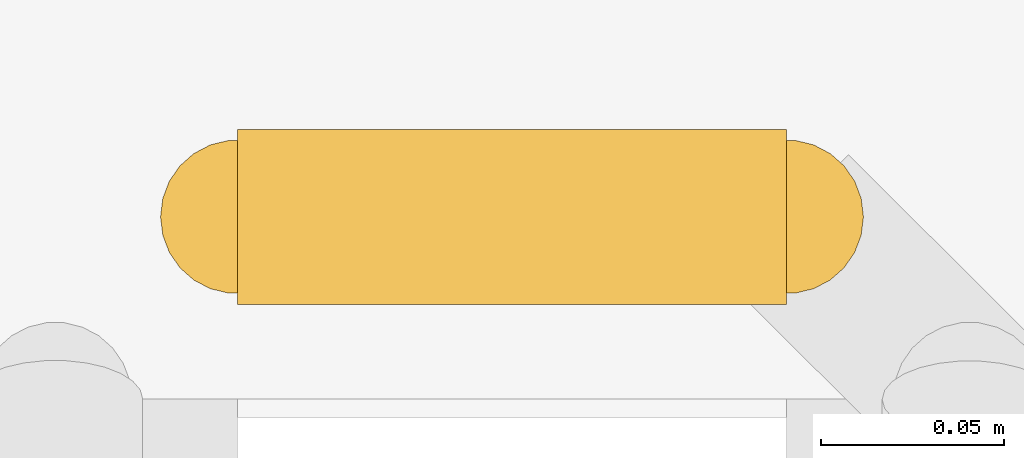
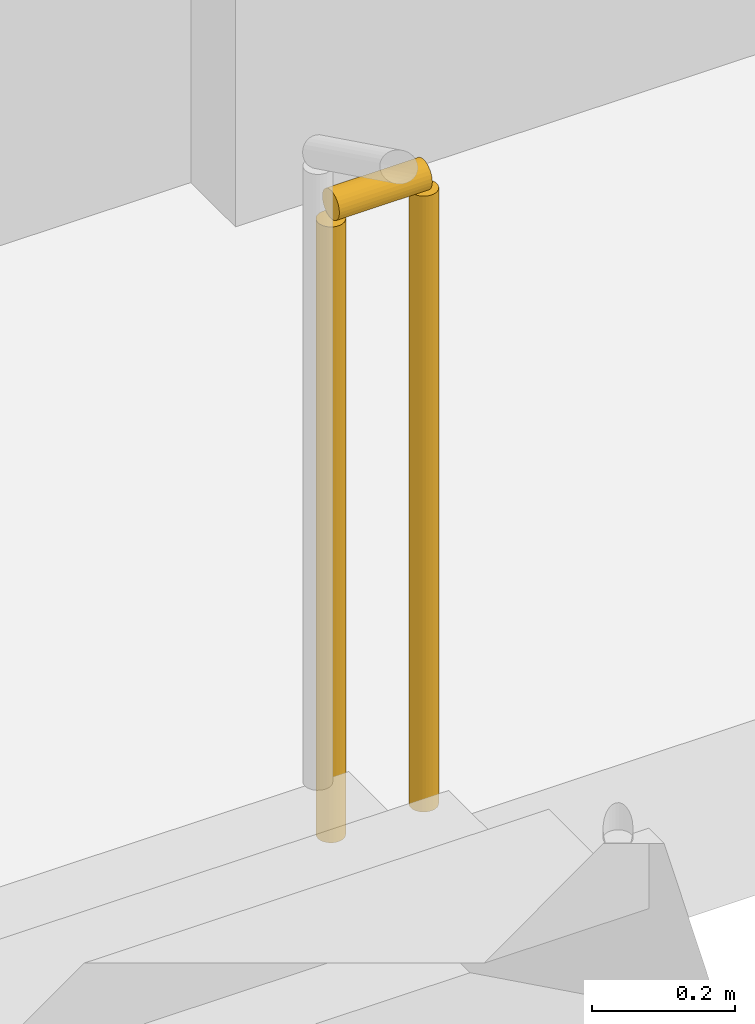
# One storey, part 16 of 21: 1 railing.
"""IFC4 building model written with IfcOpenShell, lengths in metres."""

import ifcopenshell
import ifcopenshell.guid

model = None  # the IFC model being written
_history = None  # IfcOwnerHistory: only IFC2X3 demands one
_inside = {}  # id of a spatial element -> (the spatial element, [elements in it])
_under = {}  # id of a project, library or spatial element -> (it, [spatial elements below it])
_declared = {}  # id of a project -> (the project, [libraries it declares])
_typed = {}  # id of a type object -> (the type object, [elements of that type])
_made_of = {}  # id of a material, layer set ... -> (it, [elements and type objects made of it])


def new_model(schema):
    """Start an empty IFC model of exactly this schema.

    Asked for "IFC4X3", IfcOpenShell would pick the latest addendum, in which some entities
    have other attributes; the version numbers below select the first issue.
    IFC2X3 requires an IfcOwnerHistory on every rooted entity: one is made here for all.
    """
    global model, _history
    if schema == "IFC4X3":
        model = ifcopenshell.file(schema_version=(4, 3, 0, 0))
    else:
        model = ifcopenshell.file(schema=schema)
    _inside.clear()
    _under.clear()
    _declared.clear()
    _typed.clear()
    _made_of.clear()
    _history = None
    if model.schema == "IFC2X3":
        org = make("IfcOrganization", Name="unknown")
        user = make(
            "IfcPersonAndOrganization",
            ThePerson=make("IfcPerson", FamilyName="unknown"),
            TheOrganization=org,
        )
        app = make(
            "IfcApplication",
            ApplicationDeveloper=org,
            Version="unknown",
            ApplicationFullName="unknown",
            ApplicationIdentifier="unknown",
        )
        _history = make(
            "IfcOwnerHistory",
            OwningUser=user,
            OwningApplication=app,
            ChangeAction="ADDED",
            CreationDate=0,
        )
    return model


def make(cls, **values):
    """One entity of the class cls with the attributes given. An attribute that is None is left unset."""
    return model.create_entity(
        cls, **{name: value for name, value in values.items() if value is not None}
    )


def rooted(cls, **values):
    """An entity with a GlobalId (a new one), such as an element, a storey or a relation."""
    return make(cls, GlobalId=ifcopenshell.guid.new(), OwnerHistory=_history, **values)


def si_unit(unit_type, name, prefix=None):
    """IfcSIUnit, for example si_unit("LENGTHUNIT", "METRE", prefix="MILLI")."""
    return make("IfcSIUnit", UnitType=unit_type, Prefix=prefix, Name=name)


def assignment(units):
    """IfcUnitAssignment: the units of a project."""
    return None if units is None else make("IfcUnitAssignment", Units=units)


def point(xyz):
    """IfcCartesianPoint."""
    return None if xyz is None else make("IfcCartesianPoint", Coordinates=xyz)


def direction(xyz):
    """IfcDirection."""
    return None if xyz is None else make("IfcDirection", DirectionRatios=xyz)


def frame(location, z_axis=None, x_axis=None):
    """IfcAxis2Placement3D, a coordinate frame: its origin and axes. An axis left out is left unset."""
    return make(
        "IfcAxis2Placement3D",
        Location=point(location),
        Axis=direction(z_axis),
        RefDirection=direction(x_axis),
    )


def frame_2d(location, x_axis=None):
    """IfcAxis2Placement2D, a coordinate frame in the plane: its origin and x axis."""
    return make(
        "IfcAxis2Placement2D", Location=point(location), RefDirection=direction(x_axis)
    )


def origin():
    """The frame at (0, 0, 0) with its axes left unset."""
    return frame((0.0, 0.0, 0.0))


def origin_2d():
    """The frame at (0, 0) in the plane with its x axis left unset."""
    return frame_2d((0.0, 0.0))


def place(relative_to, where):
    """IfcLocalPlacement: puts the frame where relative to a parent placement (None: the world)."""
    return make(
        "IfcLocalPlacement", PlacementRelTo=relative_to, RelativePlacement=where
    )


def context(
    kind, dimensions, precision=None, world=None, true_north=None, identifier=None
):
    """IfcGeometricRepresentationContext, for example the 3D "Model" context."""
    return make(
        "IfcGeometricRepresentationContext",
        ContextIdentifier=identifier,
        ContextType=kind,
        CoordinateSpaceDimension=dimensions,
        Precision=precision,
        WorldCoordinateSystem=world,
        TrueNorth=true_north,
    )


def subcontext(parent, identifier, kind, view, scale=None):
    """IfcGeometricRepresentationSubContext, for example "Body" below "Model"."""
    return make(
        "IfcGeometricRepresentationSubContext",
        ContextIdentifier=identifier,
        ContextType=kind,
        ParentContext=parent,
        TargetScale=scale,
        TargetView=view,
    )


def project(units=None, contexts=None):
    """IfcProject with its units and contexts."""
    return rooted(
        "IfcProject",
        Name="project",
        RepresentationContexts=contexts,
        UnitsInContext=assignment(units),
    )


def spatial(cls, under=None, at=None, **own):
    """A site, building, storey or space (cls), placed at a placement, below another one or the project."""
    s = rooted(cls, ObjectPlacement=at, **own)
    if under is not None:
        _under.setdefault(under.id(), (under, []))[1].append(s)
    return s


def profile(cls, at=None, kind="AREA", **sizes):
    """A parametric profile (cls). Its sizes go by their IFC names, for example OverallWidth=200.0."""
    return make(cls, ProfileType=kind, Position=at, **sizes)


def circle(**sizes):
    """IfcCircleProfileDef."""
    return profile("IfcCircleProfileDef", **sizes)


def extrude(swept, where, along, depth):
    """IfcExtrudedAreaSolid: the profile swept, set in the frame where, extruded along a direction by depth."""
    return make(
        "IfcExtrudedAreaSolid",
        SweptArea=swept,
        Position=where,
        ExtrudedDirection=direction(along),
        Depth=depth,
    )


def shape(context_of_items, identifier, shape_type, items):
    """IfcShapeRepresentation: the items that make up one representation, for example the "Body"."""
    return make(
        "IfcShapeRepresentation",
        ContextOfItems=context_of_items,
        RepresentationIdentifier=identifier,
        RepresentationType=shape_type,
        Items=items,
    )


def material(Name=None, Category=None):
    """IfcMaterial."""
    return make("IfcMaterial", Name=Name, Category=Category)


def made_of(thing, what):
    """Note that an element or type object is made of a material, layer set ...; save() writes the relation."""
    if what is not None:
        _made_of.setdefault(what.id(), (what, []))[1].append(thing)
    return thing


def type_object(cls, material=None, **own):
    """A type object (cls), such as IfcWallType, which elements share."""
    return made_of(rooted(cls, **own), material)


def element(
    cls,
    number,
    at=None,
    inside=None,
    cuts=None,
    type_object=None,
    material=None,
    context=None,
    identifier="Body",
    shape_type=None,
    held_by="IfcProductDefinitionShape",
    body=None,
    shapes=None,
    **own,
):
    """One element of the class cls, such as IfcWall. Its Tag is "e" and its number.

    at: its placement. inside: the storey or other place that contains it. cuts: it is an
    opening in that element (IfcRelVoidsElement). A single representation is given by context,
    identifier, shape_type and body (its items); several are given by shapes. held_by: the class
    of the entity that holds the representations. save() writes the other relations.
    """
    e = rooted(cls, Tag="e%d" % number, ObjectPlacement=at, **own)
    if body is not None:
        shapes = [shape(context, identifier, shape_type, body)]
    if shapes is not None:
        e.Representation = make(held_by, Representations=shapes)
    if inside is not None:
        _inside.setdefault(inside.id(), (inside, []))[1].append(e)
    if cuts is not None:
        rooted(
            "IfcRelVoidsElement", RelatingBuildingElement=cuts, RelatedOpeningElement=e
        )
    if type_object is not None:
        _typed.setdefault(type_object.id(), (type_object, []))[1].append(e)
    return made_of(e, material)


def aggregate(whole, parts):
    """IfcRelAggregates: a whole, such as a stair, and the parts it consists of."""
    return rooted("IfcRelAggregates", RelatingObject=whole, RelatedObjects=parts)


def save(model, path):
    """Write the relations noted so far, then the file.

    IfcRelAggregates (storeys below a building ...), IfcRelContainedInSpatialStructure (elements
    in a storey), IfcRelDefinesByType, IfcRelAssociatesMaterial and IfcRelDeclares: one each for
    every whole, place, type object, material and project.
    """
    for whole, parts in _under.values():
        aggregate(whole, parts)
    for where, things in _inside.values():
        rooted(
            "IfcRelContainedInSpatialStructure",
            RelatedElements=things,
            RelatingStructure=where,
        )
    for kind, things in _typed.values():
        rooted("IfcRelDefinesByType", RelatedObjects=things, RelatingType=kind)
    for what, things in _made_of.values():
        rooted("IfcRelAssociatesMaterial", RelatedObjects=things, RelatingMaterial=what)
    for by, libraries in _declared.values():
        rooted("IfcRelDeclares", RelatingContext=by, RelatedDefinitions=libraries)
    model.write(path)


model = new_model("IFC4")

# Units and contexts
model_context = context("Model", 3, precision=1e-05, world=origin(), true_north=direction((0.0, 1.0)))
body_context = subcontext(model_context, "Body", "Model", "MODEL_VIEW")
ifc_project = project(units=[si_unit("LENGTHUNIT", "METRE"), si_unit("AREAUNIT", "SQUARE_METRE"), si_unit("VOLUMEUNIT", "CUBIC_METRE"), si_unit("PLANEANGLEUNIT", "RADIAN"), si_unit("MASSUNIT", "GRAM", prefix="KILO")], contexts=[model_context])

# Site, building, storey
site_placement = place(None, origin())
site = spatial("IfcSite", under=ifc_project, at=site_placement, CompositionType="ELEMENT")
building_placement = place(site_placement, origin())
building = spatial("IfcBuilding", under=site, at=building_placement, Name="Mopane Tessera Tower", CompositionType="ELEMENT")
storey_placement = place(building_placement, frame((0.0, 0.0, 9.0)))
storey = spatial("IfcBuildingStorey", under=building, at=storey_placement, Name="L01", CompositionType="ELEMENT", Elevation=9.0)

# Railing
ifc_material = material(Name="Powder-coated steel balustrade", Category="steel")
railing_type = type_object("IfcRailingType", Name="Escape stair guard 1100 mm", PredefinedType="GUARDRAIL", material=ifc_material)
railing_placement = place(storey_placement, frame((-12.35009765625, -1.35009765625, 0.0)))
element("IfcRailing", 1, at=railing_placement, inside=storey, type_object=railing_type, Name="L01 ST1 stair guard 5", PredefinedType="GUARDRAIL", context=body_context, shape_type="SweptSolid", body=[
    extrude(circle(Radius=0.02392578125, at=origin_2d()), frame((0.0, 0.0, 1.076171875), z_axis=(1.0, 0.0, 0.0), x_axis=(0.0, 1.0, 0.0)), (0.0, 0.0, 1.0), 0.150146484375),
    extrude(circle(Radius=0.02099609375, at=origin_2d()), origin(), (0.0, 0.0, 1.0), 1.052001953125),
    extrude(circle(Radius=0.02099609375, at=origin_2d()), frame((0.150146484375, 0.0, 0.0)), (0.0, 0.0, 1.0), 1.052001953125),
])

save(model, "model.ifc")
